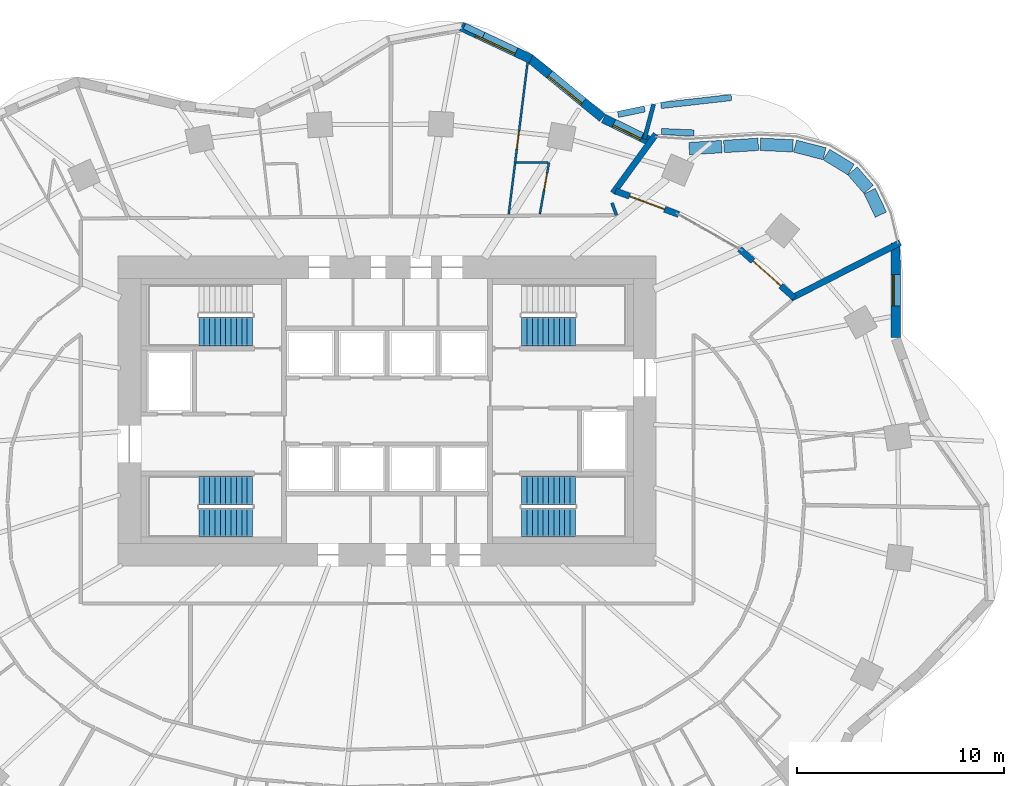
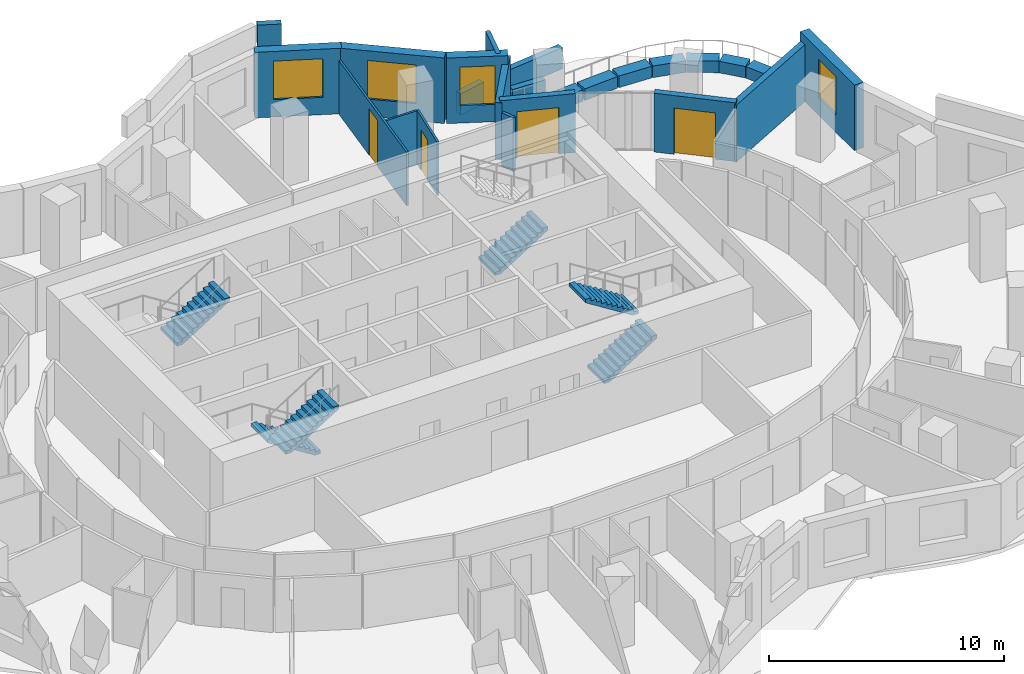
# One storey, part 11 of 14: 24 walls, 6 stair flights, 4 doors, 4 windows, 8 openings, 4 elements without a shape of their own.
"""IFC4 building model written with IfcOpenShell, lengths in metres."""

from ifc_helpers import new_model, si_unit, direction, frame, frame_2d, origin, place, context, subcontext, project, spatial, polyline, rectangle, outline, extrude, material, layer, layer_set, type_object, element, fill, aggregate, save


model = new_model("IFC4")

# Units and contexts
model_context = context("Model", 3, precision=1e-05, world=origin(), true_north=direction((0.0, 1.0)))
body_context = subcontext(model_context, "Body", "Model", "MODEL_VIEW")
ifc_project = project(units=[si_unit("LENGTHUNIT", "METRE"), si_unit("AREAUNIT", "SQUARE_METRE"), si_unit("VOLUMEUNIT", "CUBIC_METRE"), si_unit("PLANEANGLEUNIT", "RADIAN"), si_unit("MASSUNIT", "GRAM", prefix="KILO")], contexts=[model_context])

# Site, building, storey
site_placement = place(None, origin())
site = spatial("IfcSite", under=ifc_project, at=site_placement, CompositionType="ELEMENT")
building_placement = place(site_placement, origin())
building = spatial("IfcBuilding", under=site, at=building_placement, Name="Rubra Terraces Tower", CompositionType="ELEMENT")
storey_placement = place(building_placement, frame((0.0, 0.0, 103.199951171875)))
storey = spatial("IfcBuildingStorey", under=building, at=storey_placement, Name="L24", CompositionType="ELEMENT", Elevation=103.199951171875)

# Walls
ifc_material_1 = material(Name="Brick masonry red-brown", Category="masonry")
ifc_layer_1 = layer(ifc_material_1, 0.300048828125)
ifc_layer_set_1 = layer_set([ifc_layer_1], Name="Brick masonry red-brown")
wall_type_1 = type_object("IfcWallType", Name="Brick edge guard 300", PredefinedType="PARAPET", material=ifc_layer_set_1)
wall_1_placement = place(storey_placement, frame((11.155029296875, 18.828857421875, 0.0), z_axis=(0.0, 0.0, 1.0), x_axis=(0.97969170857, 0.200509740809, 0.0)))
element("IfcWall", 1, at=wall_1_placement, inside=storey, type_object=wall_type_1, Name="Edge guard L24.1", PredefinedType="PARAPET", context=body_context, shape_type="SweptSolid", body=[
    extrude(rectangle(XDim=1.313720703125, YDim=0.300048828125, at=frame_2d((0.65673828125, 0.0))), origin(), (0.0, 0.0, 1.0), 1.10009765625),
])
wall_2_placement = place(storey_placement, frame((13.229248046875, 19.258544921875, 0.0), z_axis=(0.0, 0.0, 1.0), x_axis=(0.993648609004, 0.112527515859, 0.0)))
element("IfcWall", 2, at=wall_2_placement, inside=storey, type_object=wall_type_1, Name="Edge guard L24.2", PredefinedType="PARAPET", context=body_context, shape_type="SweptSolid", body=[
    extrude(rectangle(XDim=3.42578125, YDim=0.300048828125, at=frame_2d((1.712890625, 0.0))), origin(), (0.0, 0.0, 1.0), 1.10009765625),
])
wall_3_placement = place(storey_placement, frame((14.82421875, 17.93310546875, 0.0), z_axis=(0.0, 0.0, 1.0), x_axis=(-0.999053509018, 0.043498116263, 0.0)))
element("IfcWall", 3, at=wall_3_placement, inside=storey, type_object=wall_type_1, Name="Edge guard L24.3", PredefinedType="PARAPET", context=body_context, shape_type="SweptSolid", body=[
    extrude(rectangle(XDim=1.56591796875, YDim=0.300048828125, at=frame_2d((0.782958984375, 0.0))), origin(), (0.0, 0.0, 1.0), 1.10009765625),
])

# Wall, opening, window
ifc_layer_2 = layer(ifc_material_1, 0.449951171875)
ifc_layer_set_2 = layer_set([ifc_layer_2], Name="Brick masonry red-brown")
wall_type_2 = type_object("IfcWallType", Name="Brick facade wall 450", PredefinedType="SOLIDWALL", material=ifc_layer_set_2)
wall_4_placement = place(storey_placement, frame((24.5712890625, 8.044189453125, 0.0), z_axis=(0.0, 0.0, 1.0), x_axis=(-0.001546005189, 0.999998804933, 0.0)))
wall_4 = element("IfcWall", 4, at=wall_4_placement, inside=storey, type_object=wall_type_2, Name="Facade wall L24 bay 3", PredefinedType="SOLIDWALL", context=body_context, shape_type="SweptSolid", body=[
    extrude(rectangle(XDim=4.57958984375, YDim=0.449951171875, at=frame_2d((2.289794921875, 0.0))), origin(), (0.0, 0.0, 1.0), 3.400146484375),
])
opening_1_placement = place(wall_4_placement, frame((1.539794921875, 0.0, 0.89990234375)))
opening_1 = element("IfcOpeningElement", 5, at=opening_1_placement, cuts=wall_4, Name="Opening W7", PredefinedType="OPENING", context=body_context, shape_type="SweptSolid", body=[
    extrude(rectangle(XDim=1.5, YDim=2.0, at=frame_2d((0.75, 1.0))), frame((0.0, 0.23486328125, 0.0), z_axis=(0.0, -1.0, 0.0), x_axis=(1.0, 0.0, 0.0)), (0.0, 0.0, 1.0), 0.469970703125),
])
ifc_material_2 = material(Name="Clear glass in aluminium frame", Category="aluminium")
window_type_1 = type_object("IfcWindowType", Name="Fixed deep-set window beside terrace 1500 x 2000", PartitioningType="SINGLE_PANEL", PredefinedType="WINDOW", material=ifc_material_2)
window_1_placement = place(opening_1_placement, origin())
window_1 = element("IfcWindow", 6, at=window_1_placement, inside=storey, type_object=window_type_1, Name="Window L24 bay 3", OverallHeight=2.0, OverallWidth=1.5, PartitioningType="SINGLE_PANEL", PredefinedType="WINDOW", context=body_context, shape_type="SweptSolid", body=[
    extrude(rectangle(XDim=1.5, YDim=2.0, at=frame_2d((0.75, 1.0))), frame((0.0, 0.135009765625, 0.0), z_axis=(0.0, -1.0, 0.0), x_axis=(1.0, 0.0, 0.0)), (0.0, 0.0, 1.0), 0.06005859375),
])
fill(opening_1, window_1)

wall_5_placement = place(storey_placement, frame((12.79736328125, 17.487548828125, 0.0), z_axis=(0.0, 0.0, 1.0), x_axis=(-0.898632684134, 0.43870183383, 0.0)))
wall_5 = element("IfcWall", 7, at=wall_5_placement, inside=storey, type_object=wall_type_2, Name="Facade wall L24 bay 7", PredefinedType="SOLIDWALL", context=body_context, shape_type="SweptSolid", body=[
    extrude(rectangle(XDim=2.610595703125, YDim=0.449951171875, at=frame_2d((1.30517578125, 0.0))), origin(), (0.0, 0.0, 1.0), 3.400146484375),
])
opening_2_placement = place(wall_5_placement, frame((0.555419921875, 0.0, 0.89990234375)))
opening_2 = element("IfcOpeningElement", 8, at=opening_2_placement, cuts=wall_5, Name="Opening W7", PredefinedType="OPENING", context=body_context, shape_type="SweptSolid", body=[
    extrude(rectangle(XDim=1.5, YDim=2.0, at=frame_2d((0.75, 1.0))), frame((0.0, 0.23486328125, 0.0), z_axis=(0.0, -1.0, 0.0), x_axis=(1.0, 0.0, 0.0)), (0.0, 0.0, 1.0), 0.469970703125),
])
window_2_placement = place(opening_2_placement, origin())
window_2 = element("IfcWindow", 9, at=window_2_placement, inside=storey, type_object=window_type_1, Name="Window L24 bay 7", OverallHeight=2.0, OverallWidth=1.5, PartitioningType="SINGLE_PANEL", PredefinedType="WINDOW", context=body_context, shape_type="SweptSolid", body=[
    extrude(rectangle(XDim=1.5, YDim=2.0, at=frame_2d((0.75, 1.0))), frame((0.0, 0.135009765625, 0.0), z_axis=(0.0, -1.0, 0.0), x_axis=(1.0, 0.0, 0.0)), (0.0, 0.0, 1.0), 0.06005859375),
])
fill(opening_2, window_2)

wall_6_placement = place(storey_placement, frame((10.407470703125, 18.660888671875, 0.0), z_axis=(0.0, 0.0, 1.0), x_axis=(-0.773702458947, 0.633549133864, 0.0)))
wall_6 = element("IfcWall", 10, at=wall_6_placement, inside=storey, type_object=wall_type_2, Name="Facade wall L24 bay 8", PredefinedType="SOLIDWALL", context=body_context, shape_type="SweptSolid", body=[
    extrude(rectangle(XDim=4.525634765625, YDim=0.449951171875, at=frame_2d((2.2626953125, 0.0))), origin(), (0.0, 0.0, 1.0), 3.400146484375),
])
opening_3_placement = place(wall_6_placement, frame((1.212890625, 0.0, 0.89990234375)))
opening_3 = element("IfcOpeningElement", 11, at=opening_3_placement, cuts=wall_6, Name="Opening W1", PredefinedType="OPENING", context=body_context, shape_type="SweptSolid", body=[
    extrude(rectangle(XDim=2.10009765625, YDim=2.0, at=frame_2d((1.050048828125, 1.0))), frame((0.0, 0.23486328125, 0.0), z_axis=(0.0, -1.0, 0.0), x_axis=(1.0, 0.0, 0.0)), (0.0, 0.0, 1.0), 0.469970703125),
])
window_type_2 = type_object("IfcWindowType", Name="Fixed deep-set window 2100 x 2000", PartitioningType="SINGLE_PANEL", PredefinedType="WINDOW", material=ifc_material_2)
window_3_placement = place(opening_3_placement, origin())
window_3 = element("IfcWindow", 12, at=window_3_placement, inside=storey, type_object=window_type_2, Name="Window L24 bay 8", OverallHeight=2.0, OverallWidth=2.10009765625, PartitioningType="SINGLE_PANEL", PredefinedType="WINDOW", context=body_context, shape_type="SweptSolid", body=[
    extrude(rectangle(XDim=2.10009765625, YDim=2.0, at=frame_2d((1.050048828125, 1.0))), frame((0.0, 0.135009765625, 0.0), z_axis=(0.0, -1.0, 0.0), x_axis=(1.0, 0.0, 0.0)), (0.0, 0.0, 1.0), 0.06005859375),
])
fill(opening_3, window_3)

wall_7_placement = place(storey_placement, frame((6.952880859375, 21.49853515625, 0.0), z_axis=(0.0, 0.0, 1.0), x_axis=(-0.905034581957, 0.425337989676, 0.0)))
wall_7 = element("IfcWall", 13, at=wall_7_placement, inside=storey, type_object=wall_type_2, Name="Facade wall L24 bay 9", PredefinedType="SOLIDWALL", context=body_context, shape_type="SweptSolid", body=[
    extrude(rectangle(XDim=3.71435546875, YDim=0.449951171875, at=frame_2d((1.857177734375, 0.0))), origin(), (0.0, 0.0, 1.0), 3.400146484375),
])
opening_4_placement = place(wall_7_placement, frame((0.80712890625, 0.0, 0.89990234375)))
opening_4 = element("IfcOpeningElement", 14, at=opening_4_placement, cuts=wall_7, Name="Opening W1", PredefinedType="OPENING", context=body_context, shape_type="SweptSolid", body=[
    extrude(rectangle(XDim=2.10009765625, YDim=2.0, at=frame_2d((1.050048828125, 1.0))), frame((0.0, 0.23486328125, 0.0), z_axis=(0.0, -1.0, 0.0), x_axis=(1.0, 0.0, 0.0)), (0.0, 0.0, 1.0), 0.469970703125),
])
window_4_placement = place(opening_4_placement, origin())
window_4 = element("IfcWindow", 15, at=window_4_placement, inside=storey, type_object=window_type_2, Name="Window L24 bay 9", OverallHeight=2.0, OverallWidth=2.10009765625, PartitioningType="SINGLE_PANEL", PredefinedType="WINDOW", context=body_context, shape_type="SweptSolid", body=[
    extrude(rectangle(XDim=2.10009765625, YDim=2.0, at=frame_2d((1.050048828125, 1.0))), frame((0.0, 0.135009765625, 0.0), z_axis=(0.0, -1.0, 0.0), x_axis=(1.0, 0.0, 0.0)), (0.0, 0.0, 1.0), 0.06005859375),
])
fill(opening_4, window_4)

# Walls
ifc_layer_3 = layer(ifc_material_1, 0.300048828125)
ifc_layer_set_3 = layer_set([ifc_layer_3], Name="Brick masonry red-brown")
wall_type_3 = type_object("IfcWallType", Name="Brick parapet 300", PredefinedType="PARAPET", material=ifc_layer_set_3)
wall_8_placement = place(storey_placement, frame((4.66650390625, 22.656005859375, 3.60009765625), z_axis=(0.0, 0.0, 1.0), x_axis=(-0.905050240273, 0.425304670304, 0.0)))
element("IfcWall", 16, at=wall_8_placement, inside=storey, type_object=wall_type_3, Name="Parapet L24 bay 9", PredefinedType="PARAPET", context=body_context, shape_type="SweptSolid", body=[
    extrude(rectangle(XDim=1.02685546875, YDim=0.300048828125, at=frame_2d((0.513427734375, 0.0))), origin(), (0.0, 0.0, 1.0), 1.099853515625),
])
ifc_layer_4 = layer(ifc_material_1, 0.199951171875)
ifc_layer_set_4 = layer_set([ifc_layer_4], Name="Brick masonry red-brown")
wall_type_4 = type_object("IfcWallType", Name="Brick wind fin 200", PredefinedType="SOLIDWALL", material=ifc_layer_set_4)
wall_9_placement = place(storey_placement, frame((12.429931640625, 17.634033203125, 0.0), z_axis=(0.0, 0.0, 1.0), x_axis=(0.254987624184, 0.966944316656, 0.0)))
element("IfcWall", 17, at=wall_9_placement, inside=storey, type_object=wall_type_4, Name="Wind fin L24 1", PredefinedType="SOLIDWALL", context=body_context, shape_type="SweptSolid", body=[
    extrude(rectangle(XDim=1.750244140625, YDim=0.199951171875, at=frame_2d((0.875, 0.0))), origin(), (0.0, 0.0, 1.0), 3.400146484375),
])
ifc_material_3 = material(Name="Plasterboard on steel stud, mineral wool infill", Category="steel")
ifc_layer_5 = layer(ifc_material_3, 0.14990234375)
ifc_layer_set_5 = layer_set([ifc_layer_5], Name="Plasterboard on steel stud, mineral wool infill")
wall_type_5 = type_object("IfcWallType", Name="CORRIDOR PARTITION 150", PredefinedType="PARTITIONING", material=ifc_layer_set_5)
wall_10_placement = place(storey_placement, frame((10.859375, 14.553955078125, 0.0), z_axis=(0.0, 0.0, 1.0), x_axis=(0.353864786713, -0.93529659078, 0.0)))
element("IfcWall", 18, at=wall_10_placement, inside=storey, type_object=wall_type_5, Name="PARTITION", PredefinedType="PARTITIONING", context=body_context, shape_type="SweptSolid", body=[
    extrude(rectangle(XDim=0.634033203125, YDim=0.14990234375, at=frame_2d((0.31689453125, 0.0))), origin(), (0.0, 0.0, 1.0), 2.783935546875),
])

# Wall, opening, door
ifc_material_4 = material(Name="Brick masonry with ochre lime render", Category="masonry")
ifc_layer_6 = layer(ifc_material_4, 0.300048828125)
ifc_layer_set_6 = layer_set([ifc_layer_6], Name="Brick masonry with ochre lime render")
wall_type_6 = type_object("IfcWallType", Name="Ochre rendered brick wall 300", PredefinedType="SOLIDWALL", material=ifc_layer_set_6)
wall_11_placement = place(storey_placement, frame((19.67431640625, 9.963134765625, 0.0), z_axis=(0.0, 0.0, 1.0), x_axis=(-0.74635077665, 0.66555279144, 0.0)))
wall_11 = element("IfcWall", 19, at=wall_11_placement, inside=storey, type_object=wall_type_6, Name="Terrace wall L24 bay 4", PredefinedType="SOLIDWALL", context=body_context, shape_type="SweptSolid", body=[
    extrude(rectangle(XDim=3.553466796875, YDim=0.300048828125, at=frame_2d((1.77685546875, 0.0))), origin(), (0.0, 0.0, 1.0), 3.050048828125),
])
opening_5_placement = place(wall_11_placement, frame((0.876708984375, 0.0, 0.0)))
opening_5 = element("IfcOpeningElement", 20, at=opening_5_placement, cuts=wall_11, Name="Opening T24.1", PredefinedType="OPENING", context=body_context, shape_type="SweptSolid", body=[
    extrude(rectangle(XDim=1.800048828125, YDim=2.39990234375, at=frame_2d((0.89990234375, 1.199951171875))), frame((0.0, 0.159912109375, 0.0), z_axis=(0.0, -1.0, 0.0), x_axis=(1.0, 0.0, 0.0)), (0.0, 0.0, 1.0), 0.320068359375),
])
ifc_material_5 = material(Name="Glazed aluminium door leaf", Category="aluminium")
door_type_1 = type_object("IfcDoorType", Name="Terrace double door 1800 x 2400", OperationType="DOUBLE_DOOR_DOUBLE_SWING", PredefinedType="DOOR", material=ifc_material_5)
door_1_placement = place(opening_5_placement, origin())
door_1 = element("IfcDoor", 21, at=door_1_placement, inside=storey, type_object=door_type_1, Name="Terrace door L24.1", OperationType="DOUBLE_DOOR_DOUBLE_SWING", OverallHeight=2.39990234375, OverallWidth=1.800048828125, PredefinedType="DOOR", context=body_context, shape_type="SweptSolid", body=[
    extrude(rectangle(XDim=1.800048828125, YDim=2.39990234375, at=frame_2d((0.89990234375, 1.199951171875))), frame((0.0, 0.02490234375, 0.0), z_axis=(0.0, -1.0, 0.0), x_axis=(1.0, 0.0, 0.0)), (0.0, 0.0, 1.0), 0.050048828125),
])
fill(opening_5, door_1)

wall_12_placement = place(storey_placement, frame((14.082763671875, 13.994384765625, 0.0), z_axis=(0.0, 0.0, 1.0), x_axis=(-0.937240711156, 0.348683021312, 0.0)))
wall_12 = element("IfcWall", 22, at=wall_12_placement, inside=storey, type_object=wall_type_6, Name="Terrace wall L24 bay 6", PredefinedType="SOLIDWALL", context=body_context, shape_type="SweptSolid", body=[
    extrude(rectangle(XDim=3.246826171875, YDim=0.300048828125, at=frame_2d((1.62353515625, 0.0))), origin(), (0.0, 0.0, 1.0), 3.050048828125),
])
opening_6_placement = place(wall_12_placement, frame((0.723388671875, 0.0, 0.0)))
opening_6 = element("IfcOpeningElement", 23, at=opening_6_placement, cuts=wall_12, Name="Opening T24.2", PredefinedType="OPENING", context=body_context, shape_type="SweptSolid", body=[
    extrude(rectangle(XDim=1.800048828125, YDim=2.39990234375, at=frame_2d((0.89990234375, 1.199951171875))), frame((0.0, 0.159912109375, 0.0), z_axis=(0.0, -1.0, 0.0), x_axis=(1.0, 0.0, 0.0)), (0.0, 0.0, 1.0), 0.320068359375),
])
door_2_placement = place(opening_6_placement, origin())
door_2 = element("IfcDoor", 24, at=door_2_placement, inside=storey, type_object=door_type_1, Name="Terrace door L24.2", OperationType="DOUBLE_DOOR_DOUBLE_SWING", OverallHeight=2.39990234375, OverallWidth=1.800048828125, PredefinedType="DOOR", context=body_context, shape_type="SweptSolid", body=[
    extrude(rectangle(XDim=1.800048828125, YDim=2.39990234375, at=frame_2d((0.89990234375, 1.199951171875))), frame((0.0, 0.02490234375, 0.0), z_axis=(0.0, -1.0, 0.0), x_axis=(1.0, 0.0, 0.0)), (0.0, 0.0, 1.0), 0.050048828125),
])
fill(opening_6, door_2)

# Walls
ifc_layer_7 = layer(ifc_material_4, 0.300048828125)
ifc_layer_set_7 = layer_set([ifc_layer_7], Name="Brick masonry with ochre lime render")
wall_type_7 = type_object("IfcWallType", Name="Ochre rendered brick wall 300, head to beam soffit B", PredefinedType="SOLIDWALL", material=ifc_layer_set_7)
wall_13_placement = place(storey_placement, frame((24.7890625, 12.631103515625, 0.0), z_axis=(0.0, 0.0, 1.0), x_axis=(-0.890949920969, -0.454101572697, 0.0)))
element("IfcWall", 25, at=wall_13_placement, inside=storey, type_object=wall_type_7, Name="Terrace side wall L24.1", PredefinedType="SOLIDWALL", context=body_context, shape_type="SweptSolid", body=[
    extrude(rectangle(XDim=5.928955078125, YDim=0.300048828125, at=frame_2d((2.96435546875, 0.0))), origin(), (0.0, 0.0, 1.0), 2.9541015625),
])
wall_14_placement = place(storey_placement, frame((12.98388671875, 17.8701171875, 0.0), z_axis=(0.0, 0.0, 1.0), x_axis=(-0.587940596791, -0.8089041072, 0.0)))
element("IfcWall", 26, at=wall_14_placement, inside=storey, type_object=wall_type_7, Name="Terrace side wall L24.2", PredefinedType="SOLIDWALL", context=body_context, shape_type="SweptSolid", body=[
    extrude(rectangle(XDim=3.51806640625, YDim=0.300048828125, at=frame_2d((1.759033203125, 0.0))), origin(), (0.0, 0.0, 1.0), 2.9541015625),
])
ifc_layer_8 = layer(ifc_material_4, 0.60009765625)
ifc_layer_set_8 = layer_set([ifc_layer_8], Name="Brick masonry with ochre lime render")
wall_type_8 = type_object("IfcWallType", Name="Planter box 600", PredefinedType="SOLIDWALL", material=ifc_layer_set_8)
wall_15_placement = place(storey_placement, frame((23.8544921875, 13.985595703125, 0.0), z_axis=(0.0, 0.0, 1.0), x_axis=(-0.430370378571, 0.902652390042, 0.0)))
element("IfcWall", 27, at=wall_15_placement, inside=storey, type_object=wall_type_8, Name="Planter L24.2", PredefinedType="SOLIDWALL", context=body_context, shape_type="SweptSolid", body=[
    extrude(rectangle(XDim=1.25830078125, YDim=0.60009765625, at=frame_2d((0.629150390625, 0.0))), origin(), (0.0, 0.0, 1.0), 0.60009765625),
])
wall_16_placement = place(storey_placement, frame((23.2587890625, 15.204345703125, 0.0), z_axis=(0.0, 0.0, 1.0), x_axis=(-0.653625243699, 0.756818367113, 0.0)))
element("IfcWall", 28, at=wall_16_placement, inside=storey, type_object=wall_type_8, Name="Planter L24.3", PredefinedType="SOLIDWALL", context=body_context, shape_type="SweptSolid", body=[
    extrude(rectangle(XDim=1.182861328125, YDim=0.60009765625, at=frame_2d((0.59130859375, 0.0))), origin(), (0.0, 0.0, 1.0), 0.60009765625),
])
wall_17_placement = place(storey_placement, frame((22.41015625, 16.16357421875, 0.0), z_axis=(0.0, 0.0, 1.0), x_axis=(-0.853590252504, 0.520944988295, 0.0)))
element("IfcWall", 29, at=wall_17_placement, inside=storey, type_object=wall_type_8, Name="Planter L24.4", PredefinedType="SOLIDWALL", context=body_context, shape_type="SweptSolid", body=[
    extrude(rectangle(XDim=1.388671875, YDim=0.60009765625, at=frame_2d((0.6943359375, 0.0))), origin(), (0.0, 0.0, 1.0), 0.60009765625),
])
wall_18_placement = place(storey_placement, frame((21.1337890625, 16.925537109375, 0.0), z_axis=(0.0, 0.0, 1.0), x_axis=(-0.967889462715, 0.251376188142, 0.0)))
element("IfcWall", 30, at=wall_18_placement, inside=storey, type_object=wall_type_8, Name="Planter L24.5", PredefinedType="SOLIDWALL", context=body_context, shape_type="SweptSolid", body=[
    extrude(rectangle(XDim=1.473388671875, YDim=0.60009765625, at=frame_2d((0.73681640625, 0.0))), origin(), (0.0, 0.0, 1.0), 0.60009765625),
])
wall_19_placement = place(storey_placement, frame((19.609619140625, 17.310791015625, 0.0), z_axis=(0.0, 0.0, 1.0), x_axis=(-0.998960880967, 0.045575852132, 0.0)))
element("IfcWall", 31, at=wall_19_placement, inside=storey, type_object=wall_type_8, Name="Planter L24.6", PredefinedType="SOLIDWALL", context=body_context, shape_type="SweptSolid", body=[
    extrude(rectangle(XDim=1.580322265625, YDim=0.60009765625, at=frame_2d((0.7900390625, 0.0))), origin(), (0.0, 0.0, 1.0), 0.60009765625),
])
wall_20_placement = place(storey_placement, frame((17.930908203125, 17.382080078125, 0.0), z_axis=(0.0, 0.0, 1.0), x_axis=(-0.998052578483, -0.062378286155, 0.0)))
element("IfcWall", 32, at=wall_20_placement, inside=storey, type_object=wall_type_8, Name="Planter L24.7", PredefinedType="SOLIDWALL", context=body_context, shape_type="SweptSolid", body=[
    extrude(rectangle(XDim=1.663330078125, YDim=0.60009765625, at=frame_2d((0.83154296875, 0.0))), origin(), (0.0, 0.0, 1.0), 0.60009765625),
])
wall_21_placement = place(storey_placement, frame((16.169189453125, 17.272216796875, 0.0), z_axis=(0.0, 0.0, 1.0), x_axis=(-0.998215190025, -0.059719631641, 0.0)))
element("IfcWall", 33, at=wall_21_placement, inside=storey, type_object=wall_type_8, Name="Planter L24.9", PredefinedType="SOLIDWALL", context=body_context, shape_type="SweptSolid", body=[
    extrude(rectangle(XDim=1.578125, YDim=0.60009765625, at=frame_2d((0.7890625, 0.0))), origin(), (0.0, 0.0, 1.0), 0.60009765625),
])

# Wall, opening, door
ifc_material_6 = material(Name="Plasterboard on steel stud", Category="steel")
ifc_layer_9 = layer(ifc_material_6, 0.10009765625)
ifc_layer_set_9 = layer_set([ifc_layer_9], Name="Plasterboard on steel stud")
wall_type_9 = type_object("IfcWallType", Name="ROOM PARTITION 100", PredefinedType="PARTITIONING", material=ifc_layer_set_9)
wall_22_placement = place(storey_placement, frame((6.784423828125, 21.32470703125, 0.0), z_axis=(0.0, 0.0, 1.0), x_axis=(-0.123554166571, -0.992337829533, 0.0)))
wall_22 = element("IfcWall", 34, at=wall_22_placement, inside=storey, type_object=wall_type_9, Name="PARTITION", PredefinedType="PARTITIONING", context=body_context, shape_type="SweptSolid", body=[
    extrude(rectangle(XDim=7.37841796875, YDim=0.10009765625, at=frame_2d((3.689208984375, 0.0))), origin(), (0.0, 0.0, 1.0), 2.783935546875),
])
opening_7_placement = place(wall_22_placement, frame((3.302978515625, 0.0, 0.0)))
opening_7 = element("IfcOpeningElement", 35, at=opening_7_placement, cuts=wall_22, Name="Opening 24-125", PredefinedType="OPENING", context=body_context, shape_type="SweptSolid", body=[
    extrude(rectangle(XDim=0.89990234375, YDim=2.39990234375, at=frame_2d((0.449951171875, 1.199951171875))), frame((0.0, 0.06005859375, 0.0), z_axis=(0.0, -1.0, 0.0), x_axis=(1.0, 0.0, 0.0)), (0.0, 0.0, 1.0), 0.1201171875),
])
ifc_material_7 = material(Name="Veneered timber door leaf, fire-rated", Category="wood")
door_type_2 = type_object("IfcDoorType", Name="SUITE ENTRANCE DOOR 900 X 2400", OperationType="SINGLE_SWING_LEFT", PredefinedType="DOOR", material=ifc_material_7)
door_3_placement = place(opening_7_placement, origin())
door_3 = element("IfcDoor", 36, at=door_3_placement, inside=storey, type_object=door_type_2, Name="DOOR 24-125", OperationType="SINGLE_SWING_LEFT", OverallHeight=2.39990234375, OverallWidth=0.89990234375, PredefinedType="DOOR", context=body_context, shape_type="SweptSolid", body=[
    extrude(rectangle(XDim=0.89990234375, YDim=2.39990234375, at=frame_2d((0.449951171875, 1.199951171875))), frame((0.0, 0.02490234375, 0.0), z_axis=(0.0, -1.0, 0.0), x_axis=(1.0, 0.0, 0.0)), (0.0, 0.0, 1.0), 0.050048828125),
])
fill(opening_7, door_3)

wall_23_placement = place(storey_placement, frame((7.376708984375, 14.01171875, 0.0), z_axis=(0.0, 0.0, 1.0), x_axis=(0.175395736949, 0.984498011913, 0.0)))
wall_23 = element("IfcWall", 37, at=wall_23_placement, inside=storey, type_object=wall_type_9, Name="PARTITION", PredefinedType="PARTITIONING", context=body_context, shape_type="SweptSolid", body=[
    extrude(rectangle(XDim=2.52490234375, YDim=0.10009765625, at=frame_2d((1.262451171875, 0.0))), origin(), (0.0, 0.0, 1.0), 2.783935546875),
])
opening_8_placement = place(wall_23_placement, frame((1.199951171875, 0.0, 0.0)))
opening_8 = element("IfcOpeningElement", 38, at=opening_8_placement, cuts=wall_23, Name="Opening 24-124", PredefinedType="OPENING", context=body_context, shape_type="SweptSolid", body=[
    extrude(rectangle(XDim=0.800048828125, YDim=2.10009765625, at=frame_2d((0.39990234375, 1.050048828125))), frame((0.0, 0.06005859375, 0.0), z_axis=(0.0, -1.0, 0.0), x_axis=(1.0, 0.0, 0.0)), (0.0, 0.0, 1.0), 0.1201171875),
])
ifc_material_8 = material(Name="Painted timber door leaf", Category="wood")
door_type_3 = type_object("IfcDoorType", Name="BATHROOM DOOR 800 X 2100", OperationType="SINGLE_SWING_LEFT", PredefinedType="DOOR", material=ifc_material_8)
door_4_placement = place(opening_8_placement, origin())
door_4 = element("IfcDoor", 39, at=door_4_placement, inside=storey, type_object=door_type_3, Name="DOOR 24-124", OperationType="SINGLE_SWING_LEFT", OverallHeight=2.10009765625, OverallWidth=0.800048828125, PredefinedType="DOOR", context=body_context, shape_type="SweptSolid", body=[
    extrude(rectangle(XDim=0.800048828125, YDim=2.10009765625, at=frame_2d((0.39990234375, 1.050048828125))), frame((0.0, 0.02490234375, 0.0), z_axis=(0.0, -1.0, 0.0), x_axis=(1.0, 0.0, 0.0)), (0.0, 0.0, 1.0), 0.050048828125),
])
fill(opening_8, door_4)

# Wall
wall_24_placement = place(storey_placement, frame((7.76953125, 16.497802734375, 0.0), z_axis=(0.0, 0.0, 1.0), x_axis=(-0.999976611371, 0.006839350133, 0.0)))
element("IfcWall", 40, at=wall_24_placement, inside=storey, type_object=wall_type_9, Name="PARTITION", PredefinedType="PARTITIONING", context=body_context, shape_type="SweptSolid", body=[
    extrude(rectangle(XDim=1.534912109375, YDim=0.10009765625, at=frame_2d((0.767578125, 0.0))), origin(), (0.0, 0.0, 1.0), 2.783935546875),
])

# Stair, stair flights
ifc_material_9 = material(Name="Concrete C40", Category="concrete")
stair_type = type_object("IfcStairType", Name="Core stair 1400", PredefinedType="HALF_TURN_STAIR", material=ifc_material_9)
stair_1_placement = place(storey_placement, origin())
stair_1 = element("IfcStair", 41, at=stair_1_placement, inside=storey, type_object=stair_type, Name="L24 Exit stair S1", PredefinedType="HALF_TURN_STAIR")
stair_flight_type = type_object("IfcStairFlightType", Name="Core stair flight 1400", PredefinedType="STRAIGHT", material=ifc_material_9)
stair_flight_1_placement = place(storey_placement, frame((-6.5, 0.64990234375, 0.0), z_axis=(0.0, 0.0, 1.0), x_axis=(-1.0, 0.0, 0.0)))
stair_flight_1 = element("IfcStairFlight", 42, at=stair_flight_1_placement, type_object=stair_flight_type, Name="S1 flight 1", NumberOfRisers=11, NumberOfTreads=10, PredefinedType="STRAIGHT", RiserHeight=0.163636364, TreadLength=0.26, context=body_context, shape_type="SweptSolid", body=[
    extrude(outline(polyline([(0.0, 0.0), (0.0, 0.16357421875), (0.260009765625, 0.16357421875), (0.260009765625, 0.327392578125), (0.52001953125, 0.327392578125), (0.52001953125, 0.490966796875), (0.780029296875, 0.490966796875), (0.780029296875, 0.654541015625), (1.0400390625, 0.654541015625), (1.0400390625, 0.818115234375), (1.300048828125, 0.818115234375), (1.300048828125, 0.98193359375), (1.56005859375, 0.98193359375), (1.56005859375, 1.1455078125), (1.820068359375, 1.1455078125), (1.820068359375, 1.30908203125), (2.080078125, 1.30908203125), (2.080078125, 1.47265625), (2.340087890625, 1.47265625), (2.340087890625, 1.636474609375), (2.60009765625, 1.636474609375), (2.60009765625, 1.800048828125), (2.60009765625, 1.459228515625), (0.281494140625, 0.0), (0.0, 0.0)])), frame((0.0, 0.699951171875, 0.0), z_axis=(0.0, -1.0, 0.0), x_axis=(1.0, 0.0, 0.0)), (0.0, 0.0, 1.0), 1.39990234375),
])
stair_flight_2_placement = place(storey_placement, frame((-9.10009765625, -0.89990234375, 1.800048828125), z_axis=(0.0, 0.0, 1.0), x_axis=(1.0, 0.0, 0.0)))
stair_flight_2 = element("IfcStairFlight", 43, at=stair_flight_2_placement, type_object=stair_flight_type, Name="S1 flight 2", NumberOfRisers=11, NumberOfTreads=10, PredefinedType="STRAIGHT", RiserHeight=0.163636364, TreadLength=0.26, context=body_context, shape_type="SweptSolid", body=[
    extrude(outline(polyline([(0.0, 0.0), (0.0, 0.16357421875), (0.260009765625, 0.16357421875), (0.260009765625, 0.327392578125), (0.52001953125, 0.327392578125), (0.52001953125, 0.490966796875), (0.780029296875, 0.490966796875), (0.780029296875, 0.654541015625), (1.0400390625, 0.654541015625), (1.0400390625, 0.818115234375), (1.300048828125, 0.818115234375), (1.300048828125, 0.98193359375), (1.56005859375, 0.98193359375), (1.56005859375, 1.1455078125), (1.820068359375, 1.1455078125), (1.820068359375, 1.30908203125), (2.080078125, 1.30908203125), (2.080078125, 1.47265625), (2.340087890625, 1.47265625), (2.340087890625, 1.636474609375), (2.60009765625, 1.636474609375), (2.60009765625, 1.800048828125), (2.60009765625, 1.459228515625), (0.281494140625, 0.0), (0.0, 0.0)])), frame((0.0, 0.699951171875, 0.0), z_axis=(0.0, -1.0, 0.0), x_axis=(1.0, 0.0, 0.0)), (0.0, 0.0, 1.0), 1.39990234375),
])
aggregate(stair_1, [stair_flight_1, stair_flight_2])

# Stair, stair flight
stair_2_placement = place(storey_placement, origin())
stair_2 = element("IfcStair", 44, at=stair_2_placement, inside=storey, type_object=stair_type, Name="L24 Exit stair S2", PredefinedType="HALF_TURN_STAIR")
stair_flight_3_placement = place(storey_placement, frame((-9.10009765625, 8.35009765625, 1.800048828125), z_axis=(0.0, 0.0, 1.0), x_axis=(1.0, 0.0, 0.0)))
stair_flight_3 = element("IfcStairFlight", 45, at=stair_flight_3_placement, type_object=stair_flight_type, Name="S2 flight 2", NumberOfRisers=11, NumberOfTreads=10, PredefinedType="STRAIGHT", RiserHeight=0.163636364, TreadLength=0.26, context=body_context, shape_type="SweptSolid", body=[
    extrude(outline(polyline([(0.0, 0.0), (0.0, 0.16357421875), (0.260009765625, 0.16357421875), (0.260009765625, 0.327392578125), (0.52001953125, 0.327392578125), (0.52001953125, 0.490966796875), (0.780029296875, 0.490966796875), (0.780029296875, 0.654541015625), (1.0400390625, 0.654541015625), (1.0400390625, 0.818115234375), (1.300048828125, 0.818115234375), (1.300048828125, 0.98193359375), (1.56005859375, 0.98193359375), (1.56005859375, 1.1455078125), (1.820068359375, 1.1455078125), (1.820068359375, 1.30908203125), (2.080078125, 1.30908203125), (2.080078125, 1.47265625), (2.340087890625, 1.47265625), (2.340087890625, 1.636474609375), (2.60009765625, 1.636474609375), (2.60009765625, 1.800048828125), (2.60009765625, 1.459228515625), (0.281494140625, 0.0), (0.0, 0.0)])), frame((0.0, 0.699951171875, 0.0), z_axis=(0.0, -1.0, 0.0), x_axis=(1.0, 0.0, 0.0)), (0.0, 0.0, 1.0), 1.39990234375),
])
aggregate(stair_2, [stair_flight_3])

stair_3_placement = place(storey_placement, origin())
stair_3 = element("IfcStair", 46, at=stair_3_placement, inside=storey, type_object=stair_type, Name="L24 Exit stair S3", PredefinedType="HALF_TURN_STAIR")
stair_flight_4_placement = place(storey_placement, frame((6.5, 8.35009765625, 0.0), z_axis=(0.0, 0.0, 1.0), x_axis=(1.0, 0.0, 0.0)))
stair_flight_4 = element("IfcStairFlight", 47, at=stair_flight_4_placement, type_object=stair_flight_type, Name="S3 flight 1", NumberOfRisers=11, NumberOfTreads=10, PredefinedType="STRAIGHT", RiserHeight=0.163636364, TreadLength=0.26, context=body_context, shape_type="SweptSolid", body=[
    extrude(outline(polyline([(0.0, 0.0), (0.0, 0.16357421875), (0.260009765625, 0.16357421875), (0.260009765625, 0.327392578125), (0.52001953125, 0.327392578125), (0.52001953125, 0.490966796875), (0.780029296875, 0.490966796875), (0.780029296875, 0.654541015625), (1.0400390625, 0.654541015625), (1.0400390625, 0.818115234375), (1.300048828125, 0.818115234375), (1.300048828125, 0.98193359375), (1.56005859375, 0.98193359375), (1.56005859375, 1.1455078125), (1.820068359375, 1.1455078125), (1.820068359375, 1.30908203125), (2.080078125, 1.30908203125), (2.080078125, 1.47265625), (2.340087890625, 1.47265625), (2.340087890625, 1.636474609375), (2.60009765625, 1.636474609375), (2.60009765625, 1.800048828125), (2.60009765625, 1.459228515625), (0.281494140625, 0.0), (0.0, 0.0)])), frame((0.0, 0.699951171875, 0.0), z_axis=(0.0, -1.0, 0.0), x_axis=(1.0, 0.0, 0.0)), (0.0, 0.0, 1.0), 1.39990234375),
])
aggregate(stair_3, [stair_flight_4])

# Stair, stair flights
stair_4_placement = place(storey_placement, origin())
stair_4 = element("IfcStair", 48, at=stair_4_placement, inside=storey, type_object=stair_type, Name="L24 Exit stair S4", PredefinedType="HALF_TURN_STAIR")
stair_flight_5_placement = place(storey_placement, frame((6.5, -0.89990234375, 0.0), z_axis=(0.0, 0.0, 1.0), x_axis=(1.0, 0.0, 0.0)))
stair_flight_5 = element("IfcStairFlight", 49, at=stair_flight_5_placement, type_object=stair_flight_type, Name="S4 flight 1", NumberOfRisers=11, NumberOfTreads=10, PredefinedType="STRAIGHT", RiserHeight=0.163636364, TreadLength=0.26, context=body_context, shape_type="SweptSolid", body=[
    extrude(outline(polyline([(0.0, 0.0), (0.0, 0.16357421875), (0.260009765625, 0.16357421875), (0.260009765625, 0.327392578125), (0.52001953125, 0.327392578125), (0.52001953125, 0.490966796875), (0.780029296875, 0.490966796875), (0.780029296875, 0.654541015625), (1.0400390625, 0.654541015625), (1.0400390625, 0.818115234375), (1.300048828125, 0.818115234375), (1.300048828125, 0.98193359375), (1.56005859375, 0.98193359375), (1.56005859375, 1.1455078125), (1.820068359375, 1.1455078125), (1.820068359375, 1.30908203125), (2.080078125, 1.30908203125), (2.080078125, 1.47265625), (2.340087890625, 1.47265625), (2.340087890625, 1.636474609375), (2.60009765625, 1.636474609375), (2.60009765625, 1.800048828125), (2.60009765625, 1.459228515625), (0.281494140625, 0.0), (0.0, 0.0)])), frame((0.0, 0.699951171875, 0.0), z_axis=(0.0, -1.0, 0.0), x_axis=(1.0, 0.0, 0.0)), (0.0, 0.0, 1.0), 1.39990234375),
])
stair_flight_6_placement = place(storey_placement, frame((9.10009765625, 0.64990234375, 1.800048828125), z_axis=(0.0, 0.0, 1.0), x_axis=(-1.0, 0.0, 0.0)))
stair_flight_6 = element("IfcStairFlight", 50, at=stair_flight_6_placement, type_object=stair_flight_type, Name="S4 flight 2", NumberOfRisers=11, NumberOfTreads=10, PredefinedType="STRAIGHT", RiserHeight=0.163636364, TreadLength=0.26, context=body_context, shape_type="SweptSolid", body=[
    extrude(outline(polyline([(0.0, 0.0), (0.0, 0.16357421875), (0.260009765625, 0.16357421875), (0.260009765625, 0.327392578125), (0.52001953125, 0.327392578125), (0.52001953125, 0.490966796875), (0.780029296875, 0.490966796875), (0.780029296875, 0.654541015625), (1.0400390625, 0.654541015625), (1.0400390625, 0.818115234375), (1.300048828125, 0.818115234375), (1.300048828125, 0.98193359375), (1.56005859375, 0.98193359375), (1.56005859375, 1.1455078125), (1.820068359375, 1.1455078125), (1.820068359375, 1.30908203125), (2.080078125, 1.30908203125), (2.080078125, 1.47265625), (2.340087890625, 1.47265625), (2.340087890625, 1.636474609375), (2.60009765625, 1.636474609375), (2.60009765625, 1.800048828125), (2.60009765625, 1.459228515625), (0.281494140625, 0.0), (0.0, 0.0)])), frame((0.0, 0.699951171875, 0.0), z_axis=(0.0, -1.0, 0.0), x_axis=(1.0, 0.0, 0.0)), (0.0, 0.0, 1.0), 1.39990234375),
])
aggregate(stair_4, [stair_flight_5, stair_flight_6])

save(model, "model.ifc")
